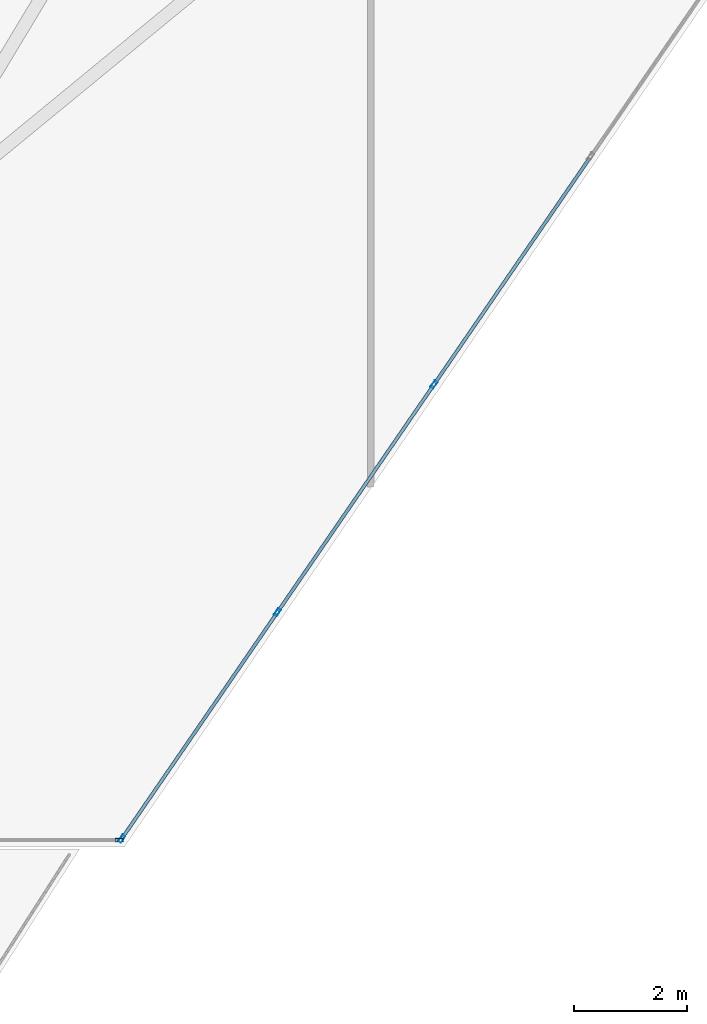
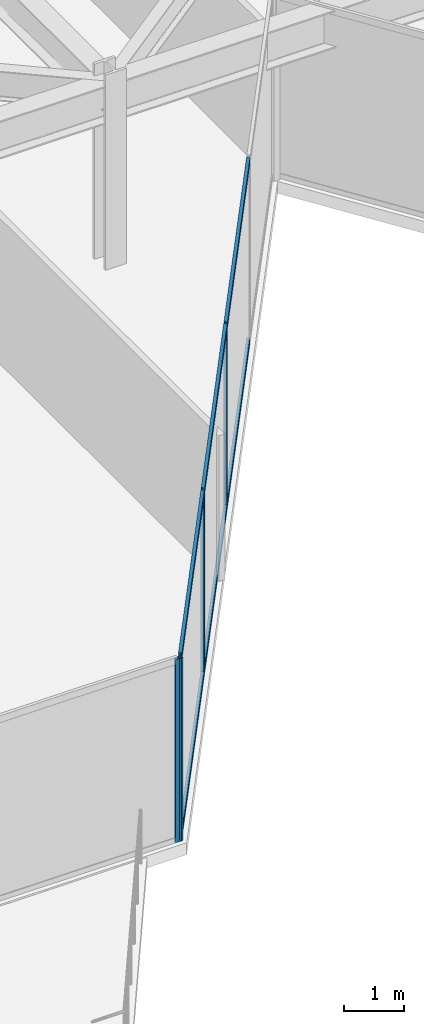
# One storey, part 4 of 21: 10 members, 2 elements without a shape of their own.
"""IFC4 building model written with IfcOpenShell, lengths in metres."""

from ifc_helpers import new_model, si_unit, direction, frame, origin, origin_2d, place, context, subcontext, project, spatial, hollow_rectangle, extrude, material, layer, layer_set, material_profile, profile_set, type_object, element, aggregate, save


model = new_model("IFC4")

# Units and contexts
model_context = context("Model", 3, precision=1e-05, world=origin(), true_north=direction((0.0, 1.0)))
body_context = subcontext(model_context, "Body", "Model", "MODEL_VIEW")
ifc_project = project(units=[si_unit("LENGTHUNIT", "METRE"), si_unit("AREAUNIT", "SQUARE_METRE"), si_unit("VOLUMEUNIT", "CUBIC_METRE"), si_unit("PLANEANGLEUNIT", "RADIAN"), si_unit("MASSUNIT", "GRAM", prefix="KILO")], contexts=[model_context])

# Site, building, storey
site_placement = place(None, origin())
site = spatial("IfcSite", under=ifc_project, at=site_placement, CompositionType="ELEMENT")
building_placement = place(site_placement, origin())
building = spatial("IfcBuilding", under=site, at=building_placement, Name="Kravanh Interchange Tower", CompositionType="ELEMENT")
storey_placement = place(building_placement, frame((0.0, 0.0, 160.5)))
storey = spatial("IfcBuildingStorey", under=building, at=storey_placement, Name="L38", CompositionType="ELEMENT", Elevation=160.5)

# Curtain wall, members
ifc_material_1 = material(Name="Anodised Bronze Aluminium", Category="aluminium")
ifc_layer = layer(ifc_material_1, 0.179931640625)
ifc_layer_set = layer_set([ifc_layer], Name="Unitised Curtain Wall System CW-Z3 Upper Office")
curtain_wall_type = type_object("IfcCurtainWallType", Name="Unitised Curtain Wall System CW-Z3 Upper Office", PredefinedType="NOTDEFINED", material=ifc_layer_set)
curtain_wall_1_placement = place(storey_placement, origin())
curtain_wall_1 = element("IfcCurtainWall", 1, at=curtain_wall_1_placement, inside=storey, type_object=curtain_wall_type, Name="L38 Unitised Curtain Wall CW-L38-05", PredefinedType="NOTDEFINED")
ifc_material_2 = material(Name="Anodised Bronze Aluminium", Category="aluminium")
ifc_material_profile_1 = material_profile(ifc_material_2, hollow_rectangle(XDim=0.06005859375, YDim=0.139892578125, WallThickness=0.00390625, at=origin_2d()), Name="ALU60X140X4")
ifc_profile_set_1 = profile_set([ifc_material_profile_1], Name="Anodised Bronze Aluminium")
member_type_1 = type_object("IfcMemberType", Name="Curtain Wall Mullion ALU60X140X4 Bronze", PredefinedType="MULLION", material=ifc_profile_set_1)
member_1_placement = place(storey_placement, frame((36.66845703125, 19.56591796875, 0.0), z_axis=(0.0, 0.0, 1.0), x_axis=(0.824042223035, -0.566528388217, 0.0)))
member_1 = element("IfcMember", 2, at=member_1_placement, type_object=member_type_1, Name="CW-Z3 mullion 3", PredefinedType="MULLION", context=body_context, shape_type="SweptSolid", body=[
    extrude(hollow_rectangle(XDim=0.06005859375, YDim=0.139892578125, WallThickness=0.00390625, at=origin_2d()), origin(), (0.0, 0.0, 1.0), 3.7548828125),
])
member_2_placement = place(storey_placement, frame((33.902587890625, 15.54296875, 0.0), z_axis=(0.0, 0.0, 1.0), x_axis=(0.824042223035, -0.566528388217, 0.0)))
member_2 = element("IfcMember", 3, at=member_2_placement, type_object=member_type_1, Name="CW-Z3 mullion 4", PredefinedType="MULLION", context=body_context, shape_type="SweptSolid", body=[
    extrude(hollow_rectangle(XDim=0.06005859375, YDim=0.139892578125, WallThickness=0.00390625, at=origin_2d()), origin(), (0.0, 0.0, 1.0), 3.7548828125),
])
member_3_placement = place(storey_placement, frame((31.15380859375, 11.544677734375, 0.0), z_axis=(0.0, 0.0, 1.0), x_axis=(0.824042223035, -0.566528388217, 0.0)))
member_3 = element("IfcMember", 4, at=member_3_placement, type_object=member_type_1, Name="CW-Z3 mullion 5", PredefinedType="MULLION", context=body_context, shape_type="SweptSolid", body=[
    extrude(hollow_rectangle(XDim=0.06005859375, YDim=0.139892578125, WallThickness=0.00390625, at=origin_2d()), origin(), (0.0, 0.0, 1.0), 3.7548828125),
])

# Curtain wall, member
curtain_wall_2_placement = place(storey_placement, origin())
curtain_wall_2 = element("IfcCurtainWall", 5, at=curtain_wall_2_placement, inside=storey, type_object=curtain_wall_type, Name="L38 Unitised Curtain Wall CW-L38-06", PredefinedType="NOTDEFINED")
member_4_placement = place(storey_placement, frame((31.10693359375, 11.52001953125, 0.0), z_axis=(0.0, 0.0, 1.0), x_axis=(0.0, -1.0, 0.0)))
member_4 = element("IfcMember", 6, at=member_4_placement, type_object=member_type_1, Name="CW-Z3 mullion 1", PredefinedType="MULLION", context=body_context, shape_type="SweptSolid", body=[
    extrude(hollow_rectangle(XDim=0.06005859375, YDim=0.139892578125, WallThickness=0.00390625, at=origin_2d()), origin(), (0.0, 0.0, 1.0), 3.7548828125),
])
aggregate(curtain_wall_2, [member_4])

# Member
ifc_material_3 = material(Name="Anodised Bronze Aluminium", Category="aluminium")
ifc_material_profile_2 = material_profile(ifc_material_3, hollow_rectangle(XDim=0.06005859375, YDim=0.139892578125, WallThickness=0.00390625, at=origin_2d()), Name="ALU60X140X4")
ifc_profile_set_2 = profile_set([ifc_material_profile_2], Name="Anodised Bronze Aluminium")
member_type_2 = type_object("IfcMemberType", Name="Curtain Wall Transom ALU60X140X4 Bronze", PredefinedType="USERDEFINED", material=ifc_profile_set_2)
member_5_placement = place(storey_placement, frame((39.417236328125, 23.564208984375, 0.030029296875), z_axis=(-0.566503037389, -0.824059651135, 0.0), x_axis=(0.824059651135, -0.566503037389, 0.0)))
member_5 = element("IfcMember", 7, at=member_5_placement, type_object=member_type_2, Name="CW-Z3 transom 2.1", ObjectType="TRANSOM", PredefinedType="USERDEFINED", context=body_context, shape_type="SweptSolid", body=[
    extrude(hollow_rectangle(XDim=0.06005859375, YDim=0.139892578125, WallThickness=0.00390625, at=origin_2d()), origin(), (0.0, 0.0, 1.0), 4.822021484375),
])

member_6_placement = place(storey_placement, frame((39.417236328125, 23.564208984375, 3.72509765625), z_axis=(-0.566503037389, -0.824059651135, 0.0), x_axis=(0.824059651135, -0.566503037389, 0.0)))
member_6 = element("IfcMember", 8, at=member_6_placement, type_object=member_type_2, Name="CW-Z3 transom 2.2", ObjectType="TRANSOM", PredefinedType="USERDEFINED", context=body_context, shape_type="SweptSolid", body=[
    extrude(hollow_rectangle(XDim=0.06005859375, YDim=0.139892578125, WallThickness=0.00390625, at=origin_2d()), origin(), (0.0, 0.0, 1.0), 4.822021484375),
])

member_7_placement = place(storey_placement, frame((36.6513671875, 19.541259765625, 0.030029296875), z_axis=(-0.566503037389, -0.824059651135, 0.0), x_axis=(0.824059651135, -0.566503037389, 0.0)))
member_7 = element("IfcMember", 9, at=member_7_placement, type_object=member_type_2, Name="CW-Z3 transom 3.1", ObjectType="TRANSOM", PredefinedType="USERDEFINED", context=body_context, shape_type="SweptSolid", body=[
    extrude(hollow_rectangle(XDim=0.06005859375, YDim=0.139892578125, WallThickness=0.00390625, at=origin_2d()), origin(), (0.0, 0.0, 1.0), 4.822021484375),
])

member_8_placement = place(storey_placement, frame((36.6513671875, 19.541259765625, 3.72509765625), z_axis=(-0.566503037389, -0.824059651135, 0.0), x_axis=(0.824059651135, -0.566503037389, 0.0)))
member_8 = element("IfcMember", 10, at=member_8_placement, type_object=member_type_2, Name="CW-Z3 transom 3.2", ObjectType="TRANSOM", PredefinedType="USERDEFINED", context=body_context, shape_type="SweptSolid", body=[
    extrude(hollow_rectangle(XDim=0.06005859375, YDim=0.139892578125, WallThickness=0.00390625, at=origin_2d()), origin(), (0.0, 0.0, 1.0), 4.822021484375),
])

member_9_placement = place(storey_placement, frame((33.8857421875, 15.518310546875, 0.030029296875), z_axis=(-0.566518012045, -0.824049356549, 0.0), x_axis=(0.824049356549, -0.566518012045, 0.0)))
member_9 = element("IfcMember", 11, at=member_9_placement, type_object=member_type_2, Name="CW-Z3 transom 4.1", ObjectType="TRANSOM", PredefinedType="USERDEFINED", context=body_context, shape_type="SweptSolid", body=[
    extrude(hollow_rectangle(XDim=0.06005859375, YDim=0.139892578125, WallThickness=0.00390625, at=origin_2d()), origin(), (0.0, 0.0, 1.0), 4.792236328125),
])

member_10_placement = place(storey_placement, frame((33.8857421875, 15.518310546875, 3.72509765625), z_axis=(-0.566518012045, -0.824049356549, 0.0), x_axis=(0.824049356549, -0.566518012045, 0.0)))
member_10 = element("IfcMember", 12, at=member_10_placement, type_object=member_type_2, Name="CW-Z3 transom 4.2", ObjectType="TRANSOM", PredefinedType="USERDEFINED", context=body_context, shape_type="SweptSolid", body=[
    extrude(hollow_rectangle(XDim=0.06005859375, YDim=0.139892578125, WallThickness=0.00390625, at=origin_2d()), origin(), (0.0, 0.0, 1.0), 4.792236328125),
])

aggregate(curtain_wall_1, [member_1, member_2, member_3, member_5, member_6, member_7, member_8, member_9, member_10])

save(model, "model.ifc")
